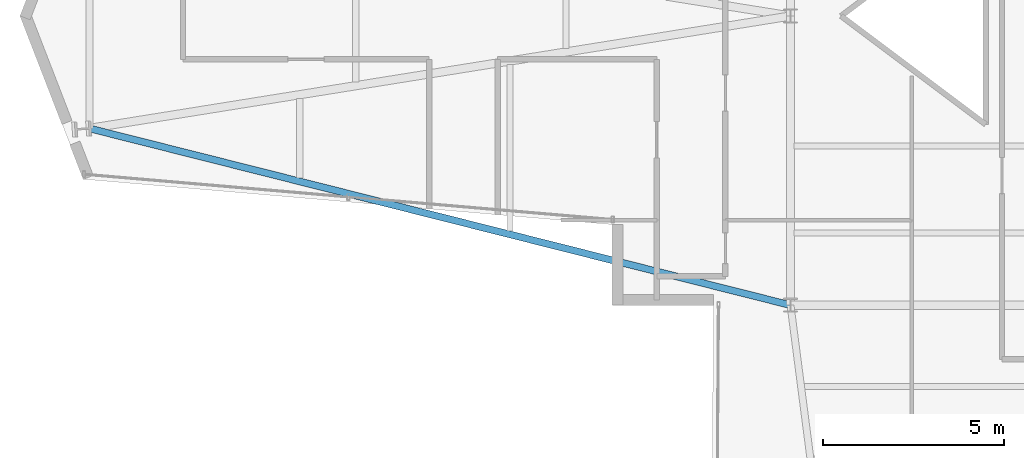
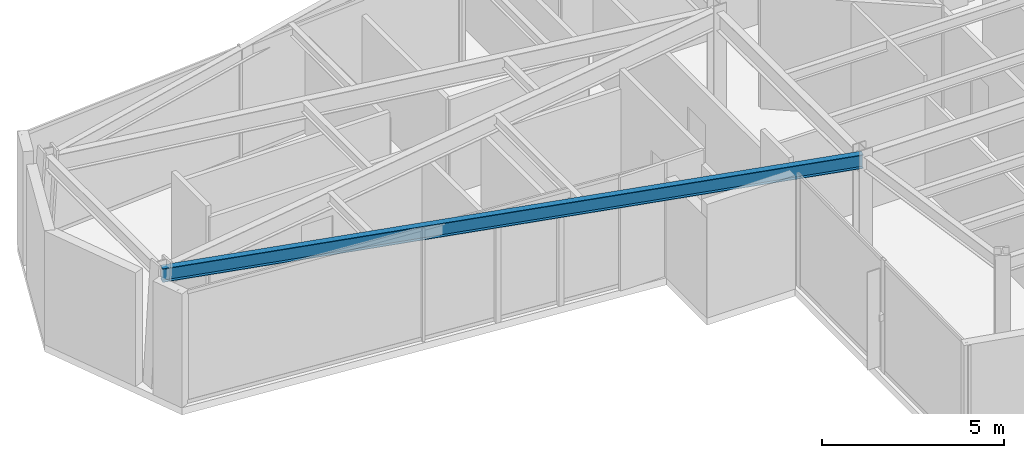
# One storey, part 3 of 26: 1 beam.
"""IFC4 building model written with IfcOpenShell, lengths in metres."""

from ifc_helpers import new_model, si_unit, direction, frame, origin, origin_2d, place, context, subcontext, project, spatial, i_section, extrude, material, material_profile, profile_set, type_object, element, save


model = new_model("IFC4")

# Units and contexts
model_context = context("Model", 3, precision=1e-05, world=origin(), true_north=direction((0.0, 1.0)))
body_context = subcontext(model_context, "Body", "Model", "MODEL_VIEW")
ifc_project = project(units=[si_unit("LENGTHUNIT", "METRE"), si_unit("AREAUNIT", "SQUARE_METRE"), si_unit("VOLUMEUNIT", "CUBIC_METRE"), si_unit("PLANEANGLEUNIT", "RADIAN"), si_unit("MASSUNIT", "GRAM", prefix="KILO")], contexts=[model_context])

# Site, building, storey
site_placement = place(None, origin())
site = spatial("IfcSite", under=ifc_project, at=site_placement, CompositionType="ELEMENT")
building_placement = place(site_placement, origin())
building = spatial("IfcBuilding", under=site, at=building_placement, Name="Veymaron Broadcast Tower", CompositionType="ELEMENT")
storey_placement = place(building_placement, frame((0.0, 0.0, 157.35009765625)))
storey = spatial("IfcBuildingStorey", under=building, at=storey_placement, Name="L36", CompositionType="ELEMENT", Elevation=157.35009765625)

# Beam
ifc_material = material(Name="Structural steel ASTM A992 Gr 50", Category="steel")
ifc_material_profile = material_profile(ifc_material, i_section(OverallWidth=0.19091796875, OverallDepth=0.4599609375, WebThickness=0.010009765625, FlangeThickness=0.01611328125, at=origin_2d()), Name="W460X82")
ifc_profile_set = profile_set([ifc_material_profile], Name="Structural steel ASTM A992 Gr 50")
beam_type = type_object("IfcBeamType", Name="BM-SP1", PredefinedType="SPANDREL", material=ifc_profile_set)
beam_placement = place(storey_placement, frame((11.802001953125, 20.889892578125, 3.579833984375), z_axis=(0.969665395272, -0.244436129105, 0.0), x_axis=(0.244436129105, 0.969665395272, 0.0)))
element("IfcBeam", 1, at=beam_placement, inside=storey, type_object=beam_type, Name="L36 primary structural floor girder", PredefinedType="SPANDREL", context=body_context, shape_type="SweptSolid", body=[
    extrude(i_section(OverallWidth=0.19091796875, OverallDepth=0.4599609375, WebThickness=0.010009765625, FlangeThickness=0.01611328125, at=origin_2d()), origin(), (0.0, 0.0, 1.0), 20.0048828125),
])

save(model, "model.ifc")
